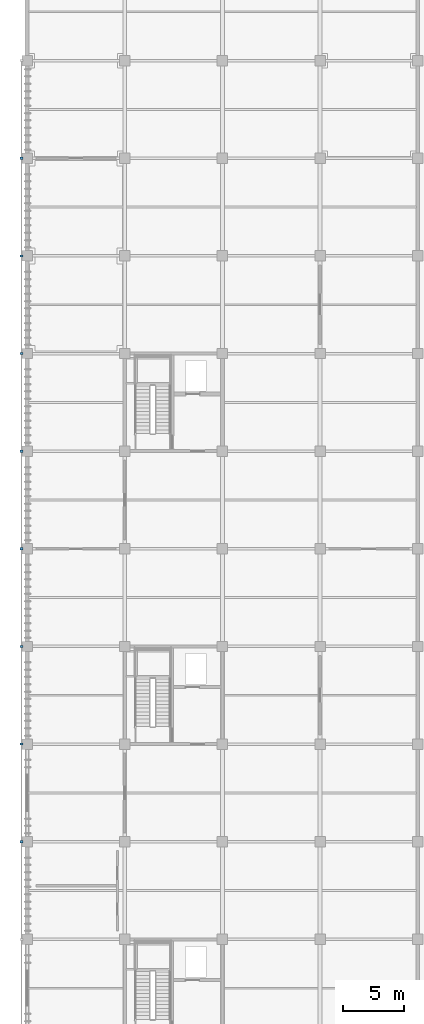
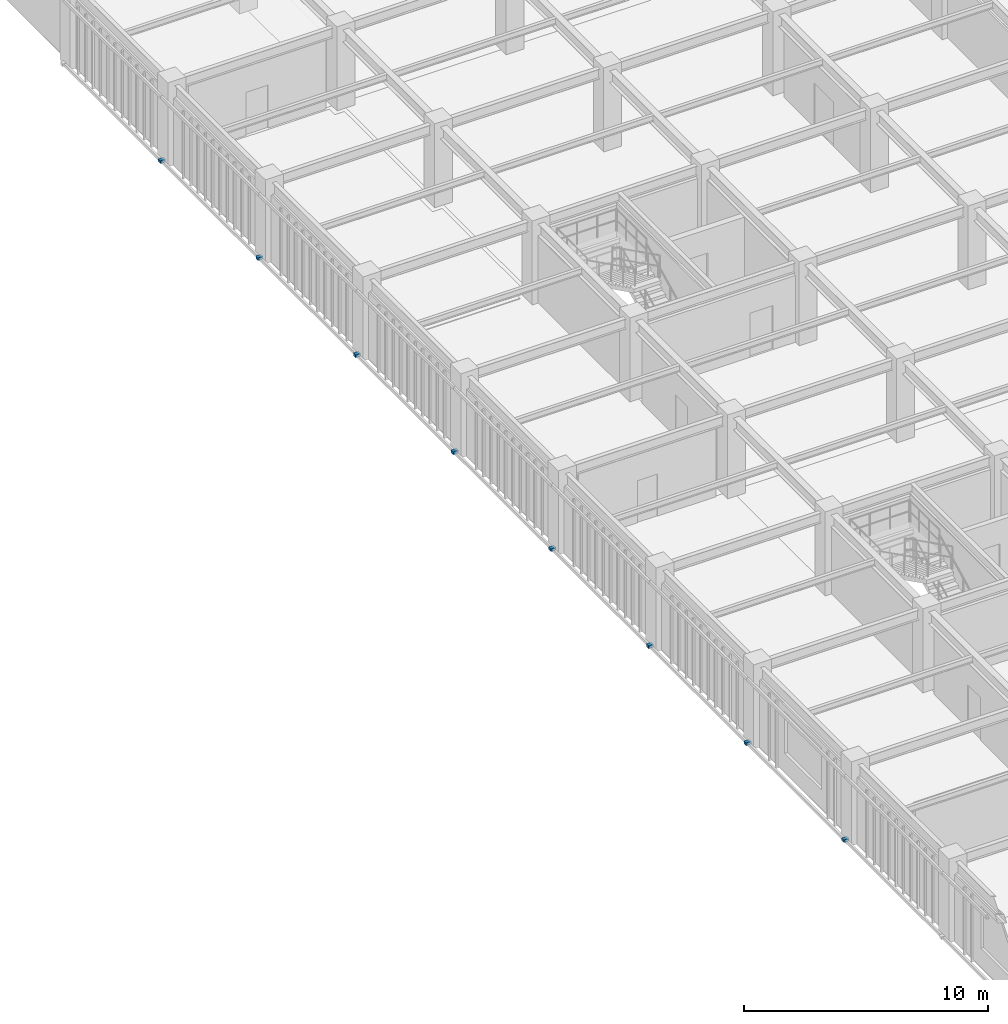
# One storey, part 67 of 78: 8 discrete accessories.
"""IFC4 building model written with IfcOpenShell, lengths in metres."""

from ifc_helpers import new_model, si_unit, direction, frame, origin, origin_2d, place, context, subcontext, project, spatial, rectangle, extrude, material, layer, layer_set, type_object, element, save


model = new_model("IFC4")

# Units and contexts
model_context = context("Model", 3, precision=1e-05, world=origin(), true_north=direction((0.0, 1.0)))
body_context = subcontext(model_context, "Body", "Model", "MODEL_VIEW")
ifc_project = project(units=[si_unit("LENGTHUNIT", "METRE"), si_unit("AREAUNIT", "SQUARE_METRE"), si_unit("VOLUMEUNIT", "CUBIC_METRE"), si_unit("PLANEANGLEUNIT", "RADIAN"), si_unit("MASSUNIT", "GRAM", prefix="KILO")], contexts=[model_context])

# Site, building, storey
site_placement = place(None, origin())
site = spatial("IfcSite", under=ifc_project, at=site_placement, CompositionType="ELEMENT")
building_placement = place(site_placement, origin())
building = spatial("IfcBuilding", under=site, at=building_placement, Name="Haebicheon Civic Stadium", CompositionType="ELEMENT")
storey_placement = place(building_placement, frame((0.0, 0.0, 18.60009765625)))
storey = spatial("IfcBuildingStorey", under=building, at=storey_placement, Name="L05", CompositionType="ELEMENT", Elevation=18.60009765625)

# Discrete accessories
ifc_material = material(Name="Stainless steel 316", Category="steel")
ifc_layer = layer(ifc_material, 0.139892578125, Name="Stainless steel 316")
ifc_layer_set = layer_set([ifc_layer], Name="Stainless steel 316")
discrete_accessory_type = type_object("IfcDiscreteAccessoryType", Name="BRK-LVR-CLEAT", PredefinedType="BRACKET", material=ifc_layer_set)
for number, where, z_axis, x_axis, name in (
    (1, (23.534912109375, 72.0, 0.009765625), (0.0, 0.0, 1.0), (1.0, 0.0, 0.0), "SCR-WEST L05 stainless bracket cleat 3B"),
    (2, (23.534912109375, 80.0, 0.009765625), (0.0, 0.0, 1.0), (1.0, 0.0, 0.0), "SCR-WEST L05 stainless bracket cleat 4B"),
    (3, (23.534912109375, 88.0, 0.009765625), (0.0, 0.0, 1.0), (1.0, 0.0, 0.0), "SCR-WEST L05 stainless bracket cleat 5B"),
    (4, (23.534912109375, 96.0, 0.009765625), (0.0, 0.0, 1.0), (1.0, 0.0, 0.0), "SCR-WEST L05 stainless bracket cleat 6B"),
    (5, (23.534912109375, 104.0, 0.009765625), (0.0, 0.0, 1.0), (1.0, 0.0, 0.0), "SCR-WEST L05 stainless bracket cleat 7B"),
    (6, (23.534912109375, 112.0, 0.009765625), (0.0, 0.0, 1.0), (1.0, 0.0, 0.0), "SCR-WEST L05 stainless bracket cleat 8B"),
    (7, (23.534912109375, 120.0, 0.009765625), (0.0, 0.0, 1.0), (1.0, 0.0, 0.0), "SCR-WEST L05 stainless bracket cleat 9B"),
    (8, (23.534912109375, 128.0, 0.009765625), (0.0, 0.0, 1.0), (1.0, 0.0, 0.0), "SCR-WEST L05 stainless bracket cleat 10B"),
):
    element("IfcDiscreteAccessory", number, at=place(storey_placement, frame(where, z_axis=z_axis, x_axis=x_axis)), inside=storey, type_object=discrete_accessory_type, material=ifc_layer_set, Name=name, PredefinedType="BRACKET", context=body_context, shape_type="SweptSolid", body=[
        extrude(rectangle(XDim=0.239990234375, YDim=0.179931640625, at=origin_2d()), origin(), (0.0, 0.0, 1.0), 0.139892578125),
    ])

save(model, "model.ifc")
